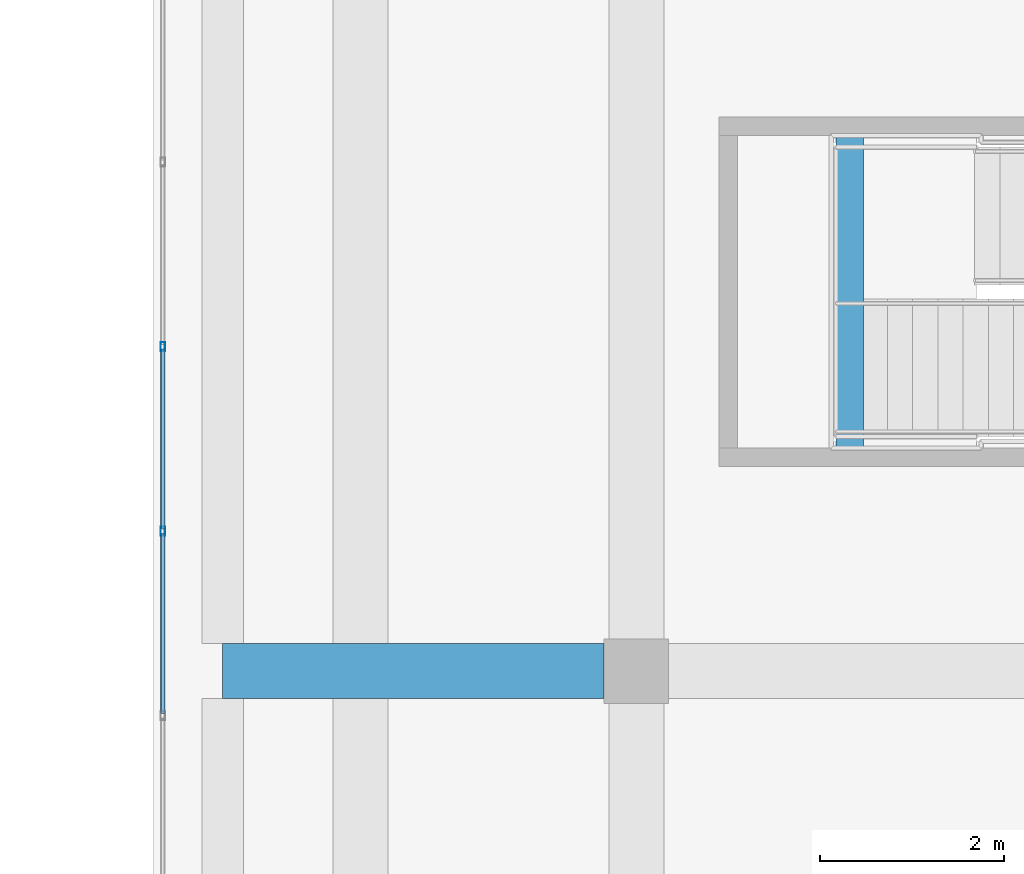
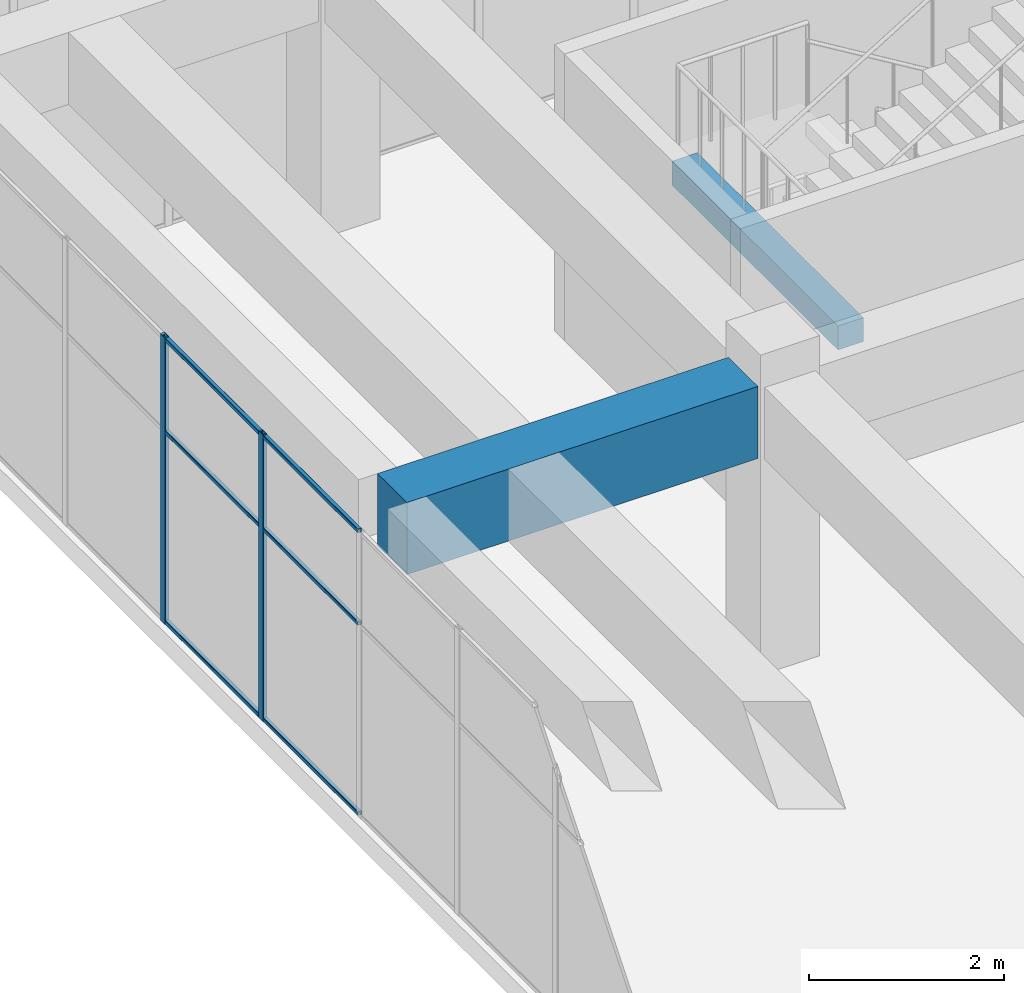
# One storey, part 9 of 32: 8 members, 2 beams, 1 element without a shape of its own.
"""IFC4 building model written with IfcOpenShell, lengths in metres."""

from ifc_helpers import new_model, si_unit, direction, frame, origin, origin_2d, place, context, subcontext, project, spatial, rectangle, hollow_rectangle, extrude, material, layer, layer_set, material_profile, profile_set, type_object, element, aggregate, save


model = new_model("IFC4")

# Units and contexts
model_context = context("Model", 3, precision=1e-05, world=origin(), true_north=direction((0.0, 1.0)))
body_context = subcontext(model_context, "Body", "Model", "MODEL_VIEW")
ifc_project = project(units=[si_unit("LENGTHUNIT", "METRE"), si_unit("AREAUNIT", "SQUARE_METRE"), si_unit("VOLUMEUNIT", "CUBIC_METRE"), si_unit("PLANEANGLEUNIT", "RADIAN"), si_unit("MASSUNIT", "GRAM", prefix="KILO")], contexts=[model_context])

# Site, building, storey
site_placement = place(None, origin())
site = spatial("IfcSite", under=ifc_project, at=site_placement, CompositionType="ELEMENT")
building_placement = place(site_placement, origin())
building = spatial("IfcBuilding", under=site, at=building_placement, Name="Tuart Plaza Theatre", CompositionType="ELEMENT")
storey_placement = place(building_placement, frame((0.0, 0.0, 37.5)))
storey = spatial("IfcBuildingStorey", under=building, at=storey_placement, Name="L09", CompositionType="ELEMENT", Elevation=37.5)

# Beams
ifc_material_1 = material(Name="Concrete N40 (40 MPa)", Category="concrete")
ifc_material_profile_1 = material_profile(ifc_material_1, rectangle(XDim=0.300048828125, YDim=0.300048828125, at=origin_2d()), Name="BEAM 300x300 Concrete N40 (40 MPa)")
ifc_profile_set_1 = profile_set([ifc_material_profile_1], Name="Concrete N40 (40 MPa)")
beam_type_1 = type_object("IfcBeamType", Name="BEAM 300x300 Concrete N40 (40 MPa)", PredefinedType="BEAM", material=ifc_profile_set_1)
beam_1_placement = place(storey_placement, frame((116.320068359375, 88.824951171875, 1.64990234375), z_axis=(0.0, -1.0, 0.0), x_axis=(1.0, 0.0, 0.0)))
element("IfcBeam", 1, at=beam_1_placement, inside=storey, type_object=beam_type_1, Name="RB537", PredefinedType="BEAM", context=body_context, shape_type="SweptSolid", body=[
    extrude(rectangle(XDim=0.300048828125, YDim=0.300048828125, at=origin_2d()), origin(), (0.0, 0.0, 1.0), 3.39990234375),
])
ifc_material_2 = material(Name="Concrete N40 (40 MPa)", Category="concrete")
ifc_material_profile_2 = material_profile(ifc_material_2, rectangle(XDim=0.60009765625, YDim=0.89990234375, at=origin_2d()), Name="BEAM 600x900 Concrete N40 (40 MPa)")
ifc_profile_set_2 = profile_set([ifc_material_profile_2], Name="Concrete N40 (40 MPa)")
beam_type_2 = type_object("IfcBeamType", Name="BEAM 600x900 Concrete N40 (40 MPa)", PredefinedType="BEAM", material=ifc_profile_set_2)
beam_2_placement = place(storey_placement, frame((109.5, 83.0, 3.1298828125), z_axis=(1.0, 0.0, 0.0), x_axis=(0.0, 1.0, 0.0)))
element("IfcBeam", 2, at=beam_2_placement, inside=storey, type_object=beam_type_2, Name="RB253", PredefinedType="BEAM", context=body_context, shape_type="SweptSolid", body=[
    extrude(rectangle(XDim=0.60009765625, YDim=0.89990234375, at=origin_2d()), origin(), (0.0, 0.0, 1.0), 4.14990234375),
])

# Curtain wall, members
ifc_material_3 = material(Name="Aluminium and glass", Category="aluminium")
ifc_layer = layer(ifc_material_3, 0.10009765625)
ifc_layer_set = layer_set([ifc_layer], Name="CURTAIN WALL 2000 module")
curtain_wall_type = type_object("IfcCurtainWallType", Name="CURTAIN WALL 2000 module", PredefinedType="NOTDEFINED", material=ifc_layer_set)
curtain_wall_placement = place(storey_placement, origin())
curtain_wall = element("IfcCurtainWall", 3, at=curtain_wall_placement, inside=storey, type_object=curtain_wall_type, Name="CW97", PredefinedType="NOTDEFINED")
ifc_material_4 = material(Name="Aluminium 6063-T5", Category="aluminium")
ifc_material_profile_3 = material_profile(ifc_material_4, hollow_rectangle(XDim=0.050048828125, YDim=0.10009765625, WallThickness=0.00390625, InnerFilletRadius=0.00390625, OuterFilletRadius=0.008056640625, at=origin_2d()), Name="RHS 100x50x4")
ifc_profile_set_3 = profile_set([ifc_material_profile_3], Name="Aluminium 6063-T5")
member_type_1 = type_object("IfcMemberType", Name="MULLION RHS 100x50x4", PredefinedType="MULLION", material=ifc_profile_set_3)
member_1_placement = place(storey_placement, frame((108.85009765625, 86.528564453125, 0.0), z_axis=(0.0, 0.0, 1.0), x_axis=(1.0, 0.0, 0.0)))
member_1 = element("IfcMember", 4, at=member_1_placement, type_object=member_type_1, Name="CW97 mullion 4", PredefinedType="MULLION", context=body_context, shape_type="SweptSolid", body=[
    extrude(hollow_rectangle(XDim=0.050048828125, YDim=0.10009765625, WallThickness=0.00390625, InnerFilletRadius=0.00390625, OuterFilletRadius=0.008056640625, at=origin_2d()), origin(), (0.0, 0.0, 1.0), 3.580078125),
])
member_2_placement = place(storey_placement, frame((108.85009765625, 84.521484375, 0.0), z_axis=(0.0, 0.0, 1.0), x_axis=(1.0, 0.0, 0.0)))
member_2 = element("IfcMember", 5, at=member_2_placement, type_object=member_type_1, Name="CW97 mullion 5", PredefinedType="MULLION", context=body_context, shape_type="SweptSolid", body=[
    extrude(hollow_rectangle(XDim=0.050048828125, YDim=0.10009765625, WallThickness=0.00390625, InnerFilletRadius=0.00390625, OuterFilletRadius=0.008056640625, at=origin_2d()), origin(), (0.0, 0.0, 1.0), 3.580078125),
])
ifc_material_5 = material(Name="Aluminium 6063-T5", Category="aluminium")
ifc_material_profile_4 = material_profile(ifc_material_5, hollow_rectangle(XDim=0.050048828125, YDim=0.050048828125, WallThickness=0.00390625, InnerFilletRadius=0.00390625, OuterFilletRadius=0.008056640625, at=origin_2d()), Name="RHS 50x50x4")
ifc_profile_set_4 = profile_set([ifc_material_profile_4], Name="Aluminium 6063-T5")
member_type_2 = type_object("IfcMemberType", Name="TRANSOM RHS 50x50x4", PredefinedType="USERDEFINED", material=ifc_profile_set_4)
member_3_placement = place(storey_placement, frame((108.85009765625, 86.503662109375, 0.02490234375), z_axis=(0.0, -1.0, 0.0), x_axis=(1.0, 0.0, 0.0)))
member_3 = element("IfcMember", 6, at=member_3_placement, type_object=member_type_2, Name="CW97 transom 4.1", ObjectType="TRANSOM", PredefinedType="USERDEFINED", context=body_context, shape_type="SweptSolid", body=[
    extrude(hollow_rectangle(XDim=0.050048828125, YDim=0.050048828125, WallThickness=0.00390625, InnerFilletRadius=0.00390625, OuterFilletRadius=0.008056640625, at=origin_2d()), origin(), (0.0, 0.0, 1.0), 1.957275390625),
])
member_4_placement = place(storey_placement, frame((108.85009765625, 86.503662109375, 2.39990234375), z_axis=(0.0, -1.0, 0.0), x_axis=(1.0, 0.0, 0.0)))
member_4 = element("IfcMember", 7, at=member_4_placement, type_object=member_type_2, Name="CW97 transom 4.2", ObjectType="TRANSOM", PredefinedType="USERDEFINED", context=body_context, shape_type="SweptSolid", body=[
    extrude(hollow_rectangle(XDim=0.050048828125, YDim=0.050048828125, WallThickness=0.00390625, InnerFilletRadius=0.00390625, OuterFilletRadius=0.008056640625, at=origin_2d()), origin(), (0.0, 0.0, 1.0), 1.957275390625),
])
member_5_placement = place(storey_placement, frame((108.85009765625, 86.503662109375, 3.554931640625), z_axis=(0.0, -1.0, 0.0), x_axis=(1.0, 0.0, 0.0)))
member_5 = element("IfcMember", 8, at=member_5_placement, type_object=member_type_2, Name="CW97 transom 4.3", ObjectType="TRANSOM", PredefinedType="USERDEFINED", context=body_context, shape_type="SweptSolid", body=[
    extrude(hollow_rectangle(XDim=0.050048828125, YDim=0.050048828125, WallThickness=0.00390625, InnerFilletRadius=0.00390625, OuterFilletRadius=0.008056640625, at=origin_2d()), origin(), (0.0, 0.0, 1.0), 1.957275390625),
])
member_6_placement = place(storey_placement, frame((108.85009765625, 84.496337890625, 0.02490234375), z_axis=(0.0, -1.0, 0.0), x_axis=(1.0, 0.0, 0.0)))
member_6 = element("IfcMember", 9, at=member_6_placement, type_object=member_type_2, Name="CW97 transom 5.1", ObjectType="TRANSOM", PredefinedType="USERDEFINED", context=body_context, shape_type="SweptSolid", body=[
    extrude(hollow_rectangle(XDim=0.050048828125, YDim=0.050048828125, WallThickness=0.00390625, InnerFilletRadius=0.00390625, OuterFilletRadius=0.008056640625, at=origin_2d()), origin(), (0.0, 0.0, 1.0), 1.95703125),
])
member_7_placement = place(storey_placement, frame((108.85009765625, 84.496337890625, 2.39990234375), z_axis=(0.0, -1.0, 0.0), x_axis=(1.0, 0.0, 0.0)))
member_7 = element("IfcMember", 10, at=member_7_placement, type_object=member_type_2, Name="CW97 transom 5.2", ObjectType="TRANSOM", PredefinedType="USERDEFINED", context=body_context, shape_type="SweptSolid", body=[
    extrude(hollow_rectangle(XDim=0.050048828125, YDim=0.050048828125, WallThickness=0.00390625, InnerFilletRadius=0.00390625, OuterFilletRadius=0.008056640625, at=origin_2d()), origin(), (0.0, 0.0, 1.0), 1.95703125),
])
member_8_placement = place(storey_placement, frame((108.85009765625, 84.496337890625, 3.554931640625), z_axis=(0.0, -1.0, 0.0), x_axis=(1.0, 0.0, 0.0)))
member_8 = element("IfcMember", 11, at=member_8_placement, type_object=member_type_2, Name="CW97 transom 5.3", ObjectType="TRANSOM", PredefinedType="USERDEFINED", context=body_context, shape_type="SweptSolid", body=[
    extrude(hollow_rectangle(XDim=0.050048828125, YDim=0.050048828125, WallThickness=0.00390625, InnerFilletRadius=0.00390625, OuterFilletRadius=0.008056640625, at=origin_2d()), origin(), (0.0, 0.0, 1.0), 1.95703125),
])
aggregate(curtain_wall, [member_1, member_2, member_3, member_4, member_5, member_6, member_7, member_8])

save(model, "model.ifc")
